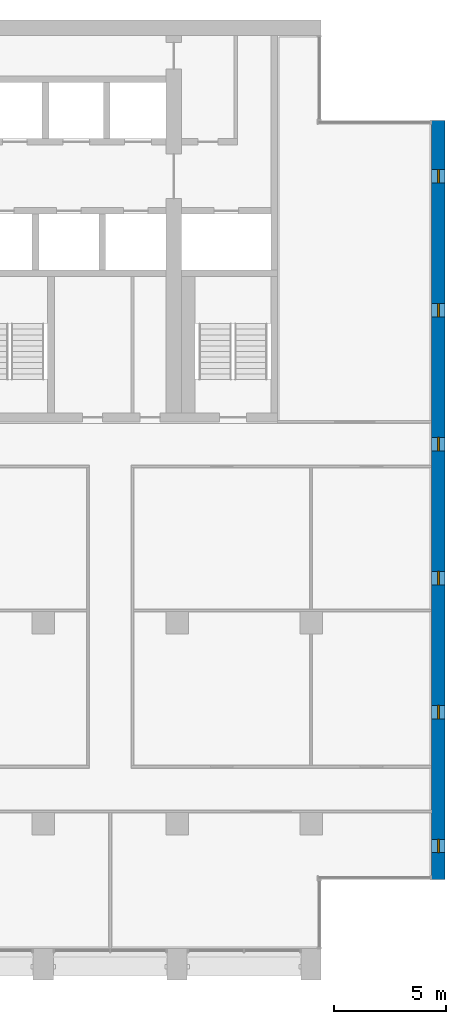
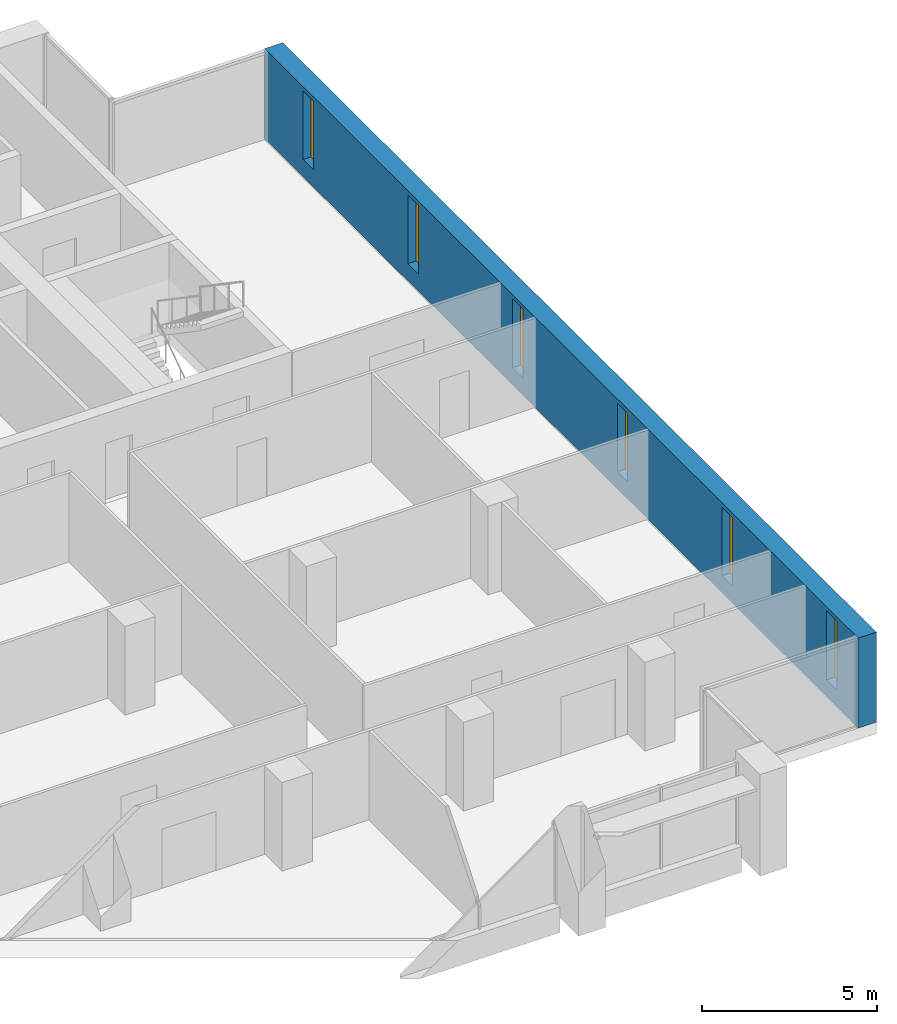
# One storey, part 12 of 16: 6 windows, 1 wall, 6 openings.
"""IFC4 building model written with IfcOpenShell, lengths in metres."""

from ifc_helpers import new_model, si_unit, direction, frame, frame_2d, origin, place, context, subcontext, project, spatial, rectangle, extrude, material, layer, layer_set, type_object, element, fill, save


model = new_model("IFC4")

# Units and contexts
model_context = context("Model", 3, precision=1e-05, world=origin(), true_north=direction((0.0, 1.0)))
body_context = subcontext(model_context, "Body", "Model", "MODEL_VIEW")
ifc_project = project(units=[si_unit("LENGTHUNIT", "METRE"), si_unit("AREAUNIT", "SQUARE_METRE"), si_unit("VOLUMEUNIT", "CUBIC_METRE"), si_unit("PLANEANGLEUNIT", "RADIAN"), si_unit("MASSUNIT", "GRAM", prefix="KILO")], contexts=[model_context])

# Site, building, storey
site_placement = place(None, origin())
site = spatial("IfcSite", under=ifc_project, at=site_placement, CompositionType="ELEMENT")
building_placement = place(site_placement, origin())
building = spatial("IfcBuilding", under=site, at=building_placement, Name="Calvaro Tower", CompositionType="ELEMENT")
storey_placement = place(building_placement, frame((0.0, 0.0, 223.0)))
storey = spatial("IfcBuildingStorey", under=building, at=storey_placement, Name="L56", CompositionType="ELEMENT", Elevation=223.0)

# Wall, openings, windows
ifc_material_1 = material(Name="Concrete C50/60", Category="concrete")
ifc_layer = layer(ifc_material_1, 0.60009765625)
ifc_layer_set = layer_set([ifc_layer], Name="Concrete C50/60")
wall_type = type_object("IfcWallType", Name="End wall 600 C50/60", PredefinedType="SHEAR", material=ifc_layer_set)
wall_placement = place(storey_placement, frame((71.699951171875, 7.5, 0.0), z_axis=(0.0, 0.0, 1.0), x_axis=(0.0, 1.0, 0.0)))
wall = element("IfcWall", 1, at=wall_placement, inside=storey, type_object=wall_type, Name="End shear wall", PredefinedType="SHEAR", context=body_context, shape_type="SweptSolid", body=[
    extrude(rectangle(XDim=34.0, YDim=0.60009765625, at=frame_2d((17.0, 0.0))), origin(), (0.0, 0.0, 1.0), 3.14990234375),
])
opening_1_placement = place(wall_placement, frame((1.199951171875, 0.0, 0.60009765625)))
opening_1 = element("IfcOpeningElement", 2, at=opening_1_placement, cuts=wall, Name="Opening WE01", PredefinedType="OPENING", context=body_context, shape_type="SweptSolid", body=[
    extrude(rectangle(XDim=0.60009765625, YDim=2.39990234375, at=frame_2d((0.300048828125, 1.199951171875))), frame((0.0, 0.31005859375, 0.0), z_axis=(0.0, -1.0, 0.0), x_axis=(1.0, 0.0, 0.0)), (0.0, 0.0, 1.0), 0.6201171875),
])
opening_2_placement = place(wall_placement, frame((7.199951171875, 0.0, 0.60009765625)))
opening_2 = element("IfcOpeningElement", 3, at=opening_2_placement, cuts=wall, Name="Opening WE02", PredefinedType="OPENING", context=body_context, shape_type="SweptSolid", body=[
    extrude(rectangle(XDim=0.60009765625, YDim=2.39990234375, at=frame_2d((0.300048828125, 1.199951171875))), frame((0.0, 0.31005859375, 0.0), z_axis=(0.0, -1.0, 0.0), x_axis=(1.0, 0.0, 0.0)), (0.0, 0.0, 1.0), 0.6201171875),
])
opening_3_placement = place(wall_placement, frame((13.199951171875, 0.0, 0.60009765625)))
opening_3 = element("IfcOpeningElement", 4, at=opening_3_placement, cuts=wall, Name="Opening WE03", PredefinedType="OPENING", context=body_context, shape_type="SweptSolid", body=[
    extrude(rectangle(XDim=0.60009765625, YDim=2.39990234375, at=frame_2d((0.300048828125, 1.199951171875))), frame((0.0, 0.31005859375, 0.0), z_axis=(0.0, -1.0, 0.0), x_axis=(1.0, 0.0, 0.0)), (0.0, 0.0, 1.0), 0.6201171875),
])
opening_4_placement = place(wall_placement, frame((19.199951171875, 0.0, 0.60009765625)))
opening_4 = element("IfcOpeningElement", 5, at=opening_4_placement, cuts=wall, Name="Opening WE04", PredefinedType="OPENING", context=body_context, shape_type="SweptSolid", body=[
    extrude(rectangle(XDim=0.60009765625, YDim=2.39990234375, at=frame_2d((0.300048828125, 1.199951171875))), frame((0.0, 0.31005859375, 0.0), z_axis=(0.0, -1.0, 0.0), x_axis=(1.0, 0.0, 0.0)), (0.0, 0.0, 1.0), 0.6201171875),
])
opening_5_placement = place(wall_placement, frame((25.199951171875, 0.0, 0.60009765625)))
opening_5 = element("IfcOpeningElement", 6, at=opening_5_placement, cuts=wall, Name="Opening WE05", PredefinedType="OPENING", context=body_context, shape_type="SweptSolid", body=[
    extrude(rectangle(XDim=0.60009765625, YDim=2.39990234375, at=frame_2d((0.300048828125, 1.199951171875))), frame((0.0, 0.31005859375, 0.0), z_axis=(0.0, -1.0, 0.0), x_axis=(1.0, 0.0, 0.0)), (0.0, 0.0, 1.0), 0.6201171875),
])
opening_6_placement = place(wall_placement, frame((31.199951171875, 0.0, 0.60009765625)))
opening_6 = element("IfcOpeningElement", 7, at=opening_6_placement, cuts=wall, Name="Opening WE06", PredefinedType="OPENING", context=body_context, shape_type="SweptSolid", body=[
    extrude(rectangle(XDim=0.60009765625, YDim=2.39990234375, at=frame_2d((0.300048828125, 1.199951171875))), frame((0.0, 0.31005859375, 0.0), z_axis=(0.0, -1.0, 0.0), x_axis=(1.0, 0.0, 0.0)), (0.0, 0.0, 1.0), 0.6201171875),
])
ifc_material_2 = material(Name="Glass", Category="glass")
window_type = type_object("IfcWindowType", Name="Slit window 600 x 2400", PartitioningType="SINGLE_PANEL", PredefinedType="WINDOW", material=ifc_material_2)
window_1_placement = place(opening_1_placement, origin())
window_1 = element("IfcWindow", 8, at=window_1_placement, inside=storey, type_object=window_type, Name="Window WE01", OverallHeight=2.39990234375, OverallWidth=0.60009765625, PartitioningType="SINGLE_PANEL", PredefinedType="WINDOW", context=body_context, shape_type="SweptSolid", body=[
    extrude(rectangle(XDim=0.60009765625, YDim=2.39990234375, at=frame_2d((0.300048828125, 1.199951171875))), frame((0.0, 0.030029296875, 0.0), z_axis=(0.0, -1.0, 0.0), x_axis=(1.0, 0.0, 0.0)), (0.0, 0.0, 1.0), 0.06005859375),
])
fill(opening_1, window_1)
window_2_placement = place(opening_2_placement, origin())
window_2 = element("IfcWindow", 9, at=window_2_placement, inside=storey, type_object=window_type, Name="Window WE02", OverallHeight=2.39990234375, OverallWidth=0.60009765625, PartitioningType="SINGLE_PANEL", PredefinedType="WINDOW", context=body_context, shape_type="SweptSolid", body=[
    extrude(rectangle(XDim=0.60009765625, YDim=2.39990234375, at=frame_2d((0.300048828125, 1.199951171875))), frame((0.0, 0.030029296875, 0.0), z_axis=(0.0, -1.0, 0.0), x_axis=(1.0, 0.0, 0.0)), (0.0, 0.0, 1.0), 0.06005859375),
])
fill(opening_2, window_2)
window_3_placement = place(opening_3_placement, origin())
window_3 = element("IfcWindow", 10, at=window_3_placement, inside=storey, type_object=window_type, Name="Window WE03", OverallHeight=2.39990234375, OverallWidth=0.60009765625, PartitioningType="SINGLE_PANEL", PredefinedType="WINDOW", context=body_context, shape_type="SweptSolid", body=[
    extrude(rectangle(XDim=0.60009765625, YDim=2.39990234375, at=frame_2d((0.300048828125, 1.199951171875))), frame((0.0, 0.030029296875, 0.0), z_axis=(0.0, -1.0, 0.0), x_axis=(1.0, 0.0, 0.0)), (0.0, 0.0, 1.0), 0.06005859375),
])
fill(opening_3, window_3)
window_4_placement = place(opening_4_placement, origin())
window_4 = element("IfcWindow", 11, at=window_4_placement, inside=storey, type_object=window_type, Name="Window WE04", OverallHeight=2.39990234375, OverallWidth=0.60009765625, PartitioningType="SINGLE_PANEL", PredefinedType="WINDOW", context=body_context, shape_type="SweptSolid", body=[
    extrude(rectangle(XDim=0.60009765625, YDim=2.39990234375, at=frame_2d((0.300048828125, 1.199951171875))), frame((0.0, 0.030029296875, 0.0), z_axis=(0.0, -1.0, 0.0), x_axis=(1.0, 0.0, 0.0)), (0.0, 0.0, 1.0), 0.06005859375),
])
fill(opening_4, window_4)
window_5_placement = place(opening_5_placement, origin())
window_5 = element("IfcWindow", 12, at=window_5_placement, inside=storey, type_object=window_type, Name="Window WE05", OverallHeight=2.39990234375, OverallWidth=0.60009765625, PartitioningType="SINGLE_PANEL", PredefinedType="WINDOW", context=body_context, shape_type="SweptSolid", body=[
    extrude(rectangle(XDim=0.60009765625, YDim=2.39990234375, at=frame_2d((0.300048828125, 1.199951171875))), frame((0.0, 0.030029296875, 0.0), z_axis=(0.0, -1.0, 0.0), x_axis=(1.0, 0.0, 0.0)), (0.0, 0.0, 1.0), 0.06005859375),
])
fill(opening_5, window_5)
window_6_placement = place(opening_6_placement, origin())
window_6 = element("IfcWindow", 13, at=window_6_placement, inside=storey, type_object=window_type, Name="Window WE06", OverallHeight=2.39990234375, OverallWidth=0.60009765625, PartitioningType="SINGLE_PANEL", PredefinedType="WINDOW", context=body_context, shape_type="SweptSolid", body=[
    extrude(rectangle(XDim=0.60009765625, YDim=2.39990234375, at=frame_2d((0.300048828125, 1.199951171875))), frame((0.0, 0.030029296875, 0.0), z_axis=(0.0, -1.0, 0.0), x_axis=(1.0, 0.0, 0.0)), (0.0, 0.0, 1.0), 0.06005859375),
])
fill(opening_6, window_6)

save(model, "model.ifc")
